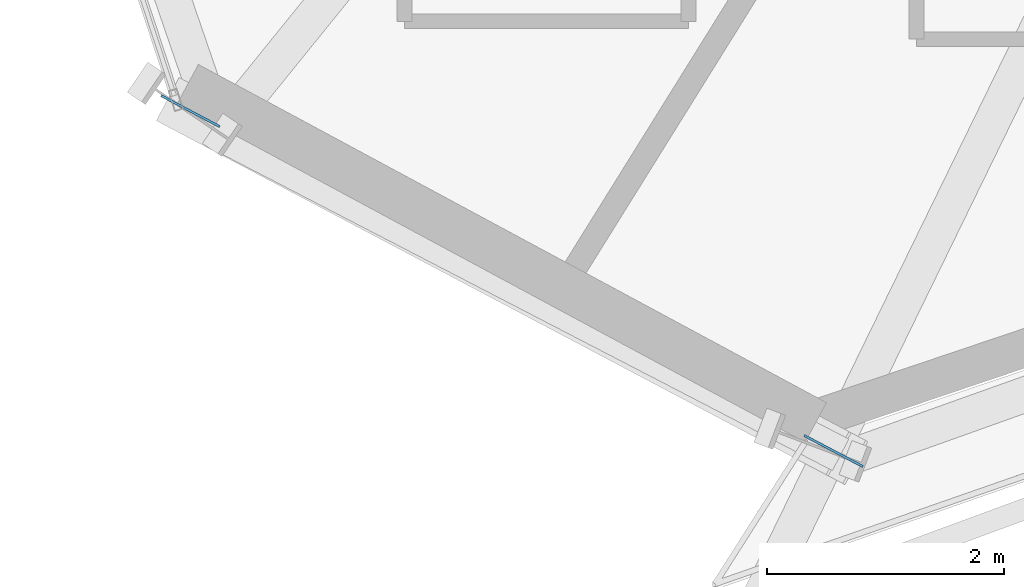
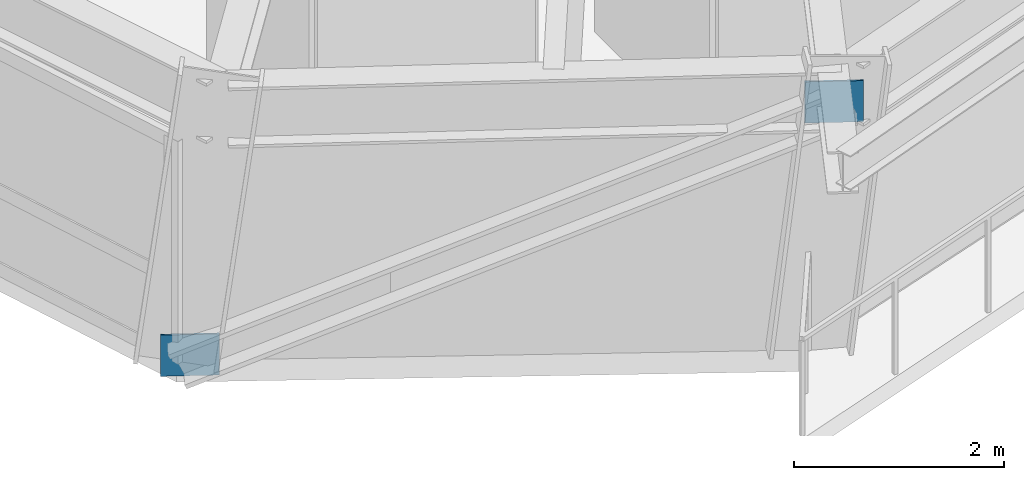
# One storey, part 12 of 22: 2 plates.
"""IFC4 building model written with IfcOpenShell, lengths in metres."""

from ifc_helpers import new_model, si_unit, direction, frame, origin, origin_2d, place, context, subcontext, project, spatial, rectangle, extrude, source, transform, mapped, material, type_object, element, save


model = new_model("IFC4")

# Units and contexts
model_context = context("Model", 3, precision=1e-05, world=origin(), true_north=direction((0.0, 1.0)))
body_context = subcontext(model_context, "Body", "Model", "MODEL_VIEW")
ifc_project = project(units=[si_unit("LENGTHUNIT", "METRE"), si_unit("AREAUNIT", "SQUARE_METRE"), si_unit("VOLUMEUNIT", "CUBIC_METRE"), si_unit("PLANEANGLEUNIT", "RADIAN"), si_unit("MASSUNIT", "GRAM", prefix="KILO")], contexts=[model_context])

# Site, building, storey
site_placement = place(None, origin())
site = spatial("IfcSite", under=ifc_project, at=site_placement, CompositionType="ELEMENT")
building_placement = place(site_placement, origin())
building = spatial("IfcBuilding", under=site, at=building_placement, Name="Olszyna Solenne Hotel", CompositionType="ELEMENT")
storey_placement = place(building_placement, frame((0.0, 0.0, 57.699951171875)))
storey = spatial("IfcBuildingStorey", under=building, at=storey_placement, Name="L14", CompositionType="ELEMENT", Elevation=57.699951171875)

# Plates
ifc_material = material(Name="Steel S355J2", Category="steel")
plate_type = type_object("IfcPlateType", Name="GP-ND2", PredefinedType="USERDEFINED", material=ifc_material)
shared_shape = source(origin(), body_context, "Body", "SweptSolid", [
    extrude(rectangle(XDim=0.56005859375, YDim=0.02001953125, at=origin_2d()), origin(), (0.0, 0.0, 1.0), 0.47998046875),
])
for number, where, z_axis, x_axis, name in (
    (1, (21.614013671875, 6.82763671875, -0.172119140625), (0.0, 0.0, 1.0), (0.884092091331, -0.467312715477, 0.0), "Brace end connection gusset plate GP-ND2 EP-BR-L14-3-1"),
    (2, (27.051025390625, 3.9541015625, 2.6171875), (0.0, 0.0, 1.0), (0.884092091331, -0.467312715477, 0.0), "Brace end connection gusset plate GP-ND2 EP-BR-L14-3-2"),
):
    element("IfcPlate", number, at=place(storey_placement, frame(where, z_axis=z_axis, x_axis=x_axis)), inside=storey, type_object=plate_type, Name=name, ObjectType="GUSSET_PLATE", PredefinedType="USERDEFINED", context=body_context, shape_type="MappedRepresentation", body=[
        mapped(shared_shape, transform((0.0, 0.0, 0.0), x_axis=(1.0, 0.0, 0.0), y_axis=(0.0, 1.0, 0.0), z_axis=(0.0, 0.0, 1.0), scale=1.0)),
    ])

save(model, "model.ifc")
